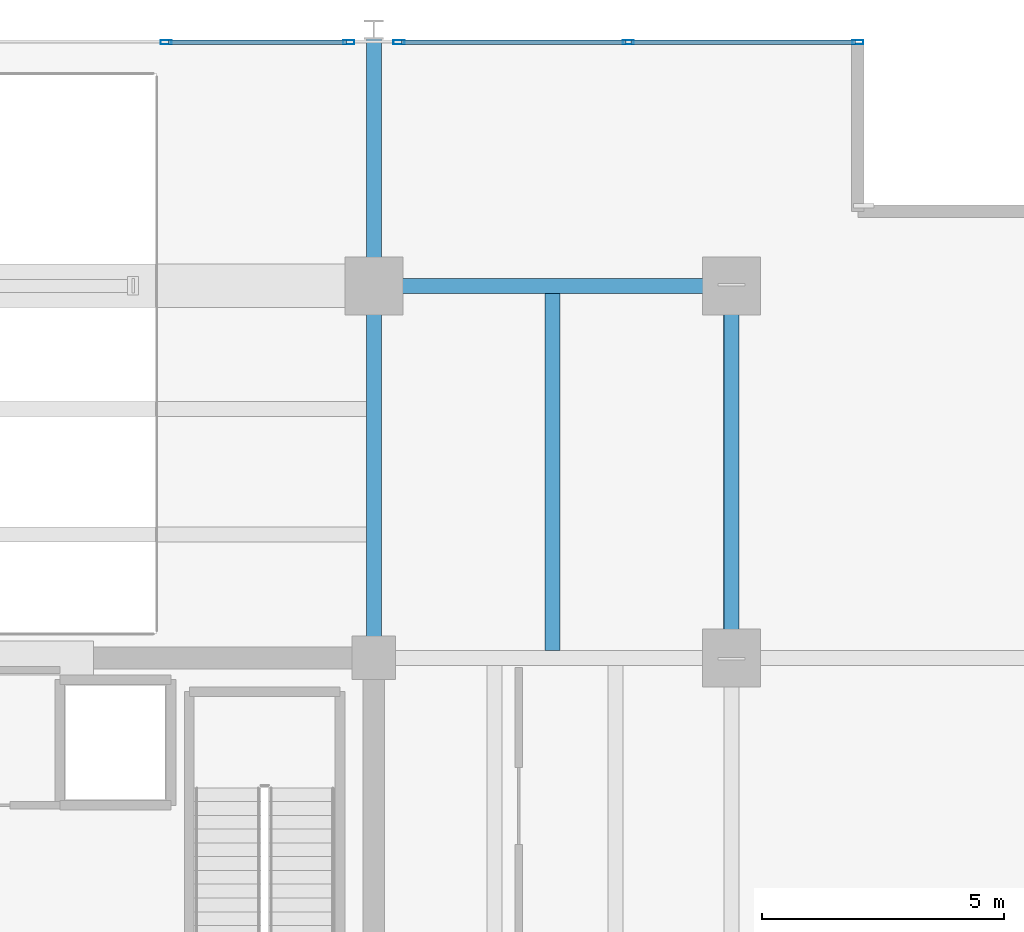
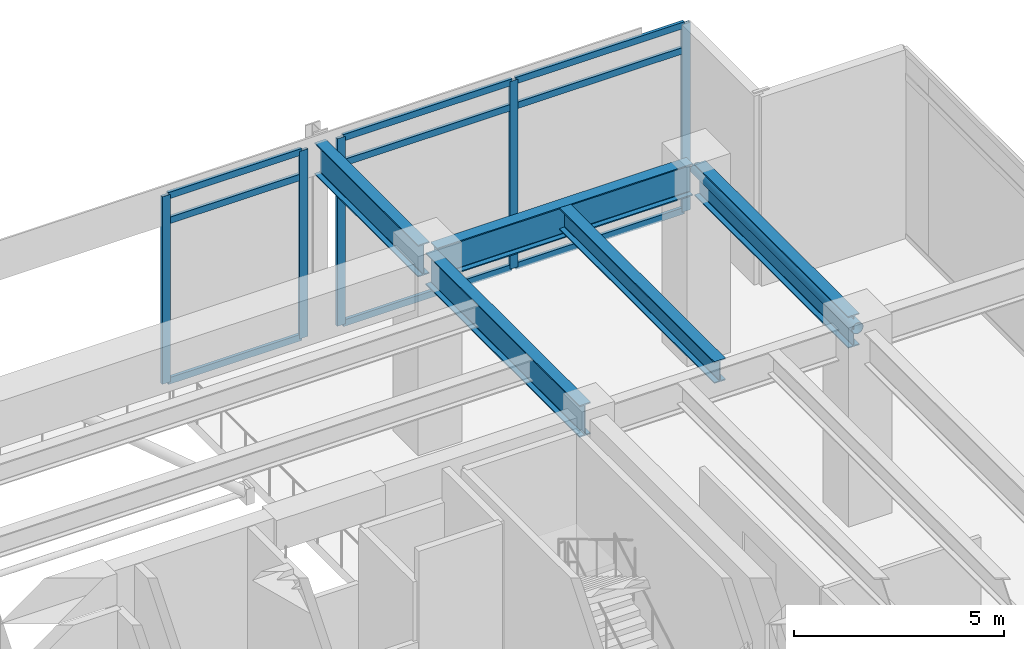
# One storey, part 16 of 25: 15 members, 5 beams, 2 elements without a shape of their own.
"""IFC4 building model written with IfcOpenShell, lengths in metres."""

from ifc_helpers import new_model, si_unit, direction, frame, origin, origin_2d, place, context, subcontext, project, spatial, hollow_rectangle, hollow_circle, i_section, extrude, material, material_profile, profile_set, type_object, element, aggregate, save


model = new_model("IFC4")

# Units and contexts
model_context = context("Model", 3, precision=1e-05, world=origin(), true_north=direction((0.0, 1.0)))
body_context = subcontext(model_context, "Body", "Model", "MODEL_VIEW")
ifc_project = project(units=[si_unit("LENGTHUNIT", "METRE"), si_unit("AREAUNIT", "SQUARE_METRE"), si_unit("VOLUMEUNIT", "CUBIC_METRE"), si_unit("PLANEANGLEUNIT", "RADIAN"), si_unit("MASSUNIT", "GRAM", prefix="KILO")], contexts=[model_context])

# Site, building, storey
site_placement = place(None, origin())
site = spatial("IfcSite", under=ifc_project, at=site_placement, CompositionType="ELEMENT")
building_placement = place(site_placement, origin())
building = spatial("IfcBuilding", under=site, at=building_placement, Name="Kovane Verandah Tower", CompositionType="ELEMENT")
storey_placement = place(building_placement, frame((0.0, 0.0, 295.199951171875)))
storey = spatial("IfcBuildingStorey", under=building, at=storey_placement, Name="L69", CompositionType="ELEMENT", Elevation=295.199951171875)

# Beams
ifc_material_1 = material(Name="Steel S460", Category="steel")
ifc_material_profile_1 = material_profile(ifc_material_1, i_section(OverallWidth=0.311279296875, OverallDepth=0.6357421875, WebThickness=0.018310546875, FlangeThickness=0.031494140625, FilletRadius=0.0166015625, at=origin_2d()), Name="UB610x305x238")
ifc_profile_set_1 = profile_set([ifc_material_profile_1], Name="Steel S460")
beam_type_1 = type_object("IfcBeamType", Name="BM-UB610x238", PredefinedType="BEAM", material=ifc_profile_set_1)
beam_1_placement = place(storey_placement, frame((54.699951171875, 36.65185546875, 5.18212890625), z_axis=(0.0, 1.0, 0.0), x_axis=(-1.0, 0.0, 0.0)))
element("IfcBeam", 1, at=beam_1_placement, inside=storey, type_object=beam_type_1, Name="L69 Secondary Composite Joist J-NE1", PredefinedType="BEAM", context=body_context, shape_type="SweptSolid", body=[
    extrude(i_section(OverallWidth=0.311279296875, OverallDepth=0.6357421875, WebThickness=0.018310546875, FlangeThickness=0.031494140625, FilletRadius=0.0166015625, at=origin_2d()), origin(), (0.0, 0.0, 1.0), 7.396240234375),
])
ifc_material_profile_2 = material_profile(ifc_material_1, i_section(OverallWidth=0.3076171875, OverallDepth=0.926513671875, WebThickness=0.01953125, FlangeThickness=0.031982421875, FilletRadius=0.01904296875, at=origin_2d()), Name="UB914x305x289")
ifc_profile_set_2 = profile_set([ifc_material_profile_2], Name="Steel S460")
beam_type_2 = type_object("IfcBeamType", Name="BM-UB914x289", PredefinedType="BEAM", material=ifc_profile_set_2)
beam_2_placement = place(storey_placement, frame((51.179931640625, 44.199951171875, 5.036865234375), z_axis=(1.0, 0.0, 0.0), x_axis=(0.0, 1.0, 0.0)))
element("IfcBeam", 2, at=beam_2_placement, inside=storey, type_object=beam_type_2, Name="L69 Primary Tower Girder G-RN3", PredefinedType="BEAM", context=body_context, shape_type="SweptSolid", body=[
    extrude(i_section(OverallWidth=0.3076171875, OverallDepth=0.926513671875, WebThickness=0.01953125, FlangeThickness=0.031982421875, FilletRadius=0.01904296875, at=origin_2d()), origin(), (0.0, 0.0, 1.0), 7.0400390625),
])
for number, where, z_axis, x_axis, name in (
    (3, (58.39990234375, 36.679931640625, 5.036865234375), (0.0, 1.0, 0.0), (-1.0, 0.0, 0.0), "L69 Primary Tower Girder G-RE3"),
    (4, (51.0, 36.679931640625, 5.036865234375), (0.0, 1.0, 0.0), (-1.0, 0.0, 0.0), "L69 Primary Tower Girder G-N2"),
):
    element("IfcBeam", number, at=place(storey_placement, frame(where, z_axis=z_axis, x_axis=x_axis)), inside=storey, type_object=beam_type_2, Name=name, PredefinedType="BEAM", context=body_context, shape_type="SweptSolid", body=[
        extrude(i_section(OverallWidth=0.3076171875, OverallDepth=0.926513671875, WebThickness=0.01953125, FlangeThickness=0.031982421875, FilletRadius=0.01904296875, at=origin_2d()), origin(), (0.0, 0.0, 1.0), 7.340087890625),
    ])
beam_3_placement = place(storey_placement, frame((51.0, 44.3798828125, 5.036865234375), z_axis=(0.0, 1.0, 0.0), x_axis=(-1.0, 0.0, 0.0)))
element("IfcBeam", 5, at=beam_3_placement, inside=storey, type_object=beam_type_2, Name="L69 Primary Tower Girder G-VN2", PredefinedType="BEAM", context=body_context, shape_type="SweptSolid", body=[
    extrude(i_section(OverallWidth=0.3076171875, OverallDepth=0.926513671875, WebThickness=0.01953125, FlangeThickness=0.031982421875, FilletRadius=0.01904296875, at=origin_2d()), origin(), (0.0, 0.0, 1.0), 4.940185546875),
])

# Curtain wall, members
ifc_material_2 = material(Name="Champagne Anodised Aluminium Frame with Low-E Clear Laminated Glass", Category="aluminium")
curtain_wall_type = type_object("IfcCurtainWallType", Name="CW-SYS-05-HIGH", PredefinedType="NOTDEFINED", material=ifc_material_2)
curtain_wall_1_placement = place(storey_placement, origin())
curtain_wall_1 = element("IfcCurtainWall", 6, at=curtain_wall_1_placement, inside=storey, type_object=curtain_wall_type, Name="L69 North-East Wind-Portal Curtain Wall 1", PredefinedType="NOTDEFINED")
ifc_material_3 = material(Name="Champagne Anodised Aluminium 6063-T6", Category="aluminium")
ifc_material_profile_3 = material_profile(ifc_material_3, hollow_rectangle(XDim=0.0849609375, YDim=0.22998046875, WallThickness=0.00390625, at=origin_2d()), Name="AL85x230x4")
ifc_profile_set_3 = profile_set([ifc_material_profile_3], Name="Champagne Anodised Aluminium 6063-T6")
member_type_1 = type_object("IfcMemberType", Name="CW-MUL-85x230", PredefinedType="MULLION", material=ifc_profile_set_3)
member_1_placement = place(storey_placement, frame((61.017822265625, 49.24169921875, 0.02001953125), z_axis=(0.0, 0.0, 1.0), x_axis=(0.0, 1.0, 0.0)))
member_1 = element("IfcMember", 7, at=member_1_placement, type_object=member_type_1, Name="L69 North-East Wind-Portal Curtain Wall 1 Mullion 1", PredefinedType="MULLION", context=body_context, shape_type="SweptSolid", body=[
    extrude(hollow_rectangle(XDim=0.0849609375, YDim=0.22998046875, WallThickness=0.00390625, at=origin_2d()), origin(), (0.0, 0.0, 1.0), 5.4599609375),
])
member_2_placement = place(storey_placement, frame((56.26904296875, 49.24169921875, 0.02001953125), z_axis=(0.0, 0.0, 1.0), x_axis=(0.0, 1.0, 0.0)))
member_2 = element("IfcMember", 8, at=member_2_placement, type_object=member_type_1, Name="L69 North-East Wind-Portal Curtain Wall 1 Mullion 2", PredefinedType="MULLION", context=body_context, shape_type="SweptSolid", body=[
    extrude(hollow_rectangle(XDim=0.0849609375, YDim=0.22998046875, WallThickness=0.00390625, at=origin_2d()), origin(), (0.0, 0.0, 1.0), 5.4599609375),
])
member_3_placement = place(storey_placement, frame((51.52001953125, 49.24169921875, 0.02001953125), z_axis=(0.0, 0.0, 1.0), x_axis=(0.0, 1.0, 0.0)))
member_3 = element("IfcMember", 9, at=member_3_placement, type_object=member_type_1, Name="L69 North-East Wind-Portal Curtain Wall 1 Mullion 3", PredefinedType="MULLION", context=body_context, shape_type="SweptSolid", body=[
    extrude(hollow_rectangle(XDim=0.0849609375, YDim=0.22998046875, WallThickness=0.00390625, at=origin_2d()), origin(), (0.0, 0.0, 1.0), 5.4599609375),
])

curtain_wall_2_placement = place(storey_placement, origin())
curtain_wall_2 = element("IfcCurtainWall", 10, at=curtain_wall_2_placement, inside=storey, type_object=curtain_wall_type, Name="L69 North-East Wind-Portal Curtain Wall 2", PredefinedType="NOTDEFINED")
member_4_placement = place(storey_placement, frame((50.47998046875, 49.24169921875, 0.02001953125), z_axis=(0.0, 0.0, 1.0), x_axis=(0.0, 1.0, 0.0)))
member_4 = element("IfcMember", 11, at=member_4_placement, type_object=member_type_1, Name="L69 North-East Wind-Portal Curtain Wall 2 Mullion 1", PredefinedType="MULLION", context=body_context, shape_type="SweptSolid", body=[
    extrude(hollow_rectangle(XDim=0.0849609375, YDim=0.22998046875, WallThickness=0.00390625, at=origin_2d()), origin(), (0.0, 0.0, 1.0), 5.4599609375),
])
member_5_placement = place(storey_placement, frame((46.699951171875, 49.24169921875, 0.02001953125), z_axis=(0.0, 0.0, 1.0), x_axis=(0.0, 1.0, 0.0)))
member_5 = element("IfcMember", 12, at=member_5_placement, type_object=member_type_1, Name="L69 North-East Wind-Portal Curtain Wall 2 Mullion 2", PredefinedType="MULLION", context=body_context, shape_type="SweptSolid", body=[
    extrude(hollow_rectangle(XDim=0.0849609375, YDim=0.22998046875, WallThickness=0.00390625, at=origin_2d()), origin(), (0.0, 0.0, 1.0), 5.4599609375),
])

# Member
ifc_material_profile_4 = material_profile(ifc_material_3, hollow_rectangle(XDim=0.0849609375, YDim=0.18994140625, WallThickness=0.00390625, at=origin_2d()), Name="AL85x190x4")
ifc_profile_set_4 = profile_set([ifc_material_profile_4], Name="Champagne Anodised Aluminium 6063-T6")
member_type_2 = type_object("IfcMemberType", Name="CW-TRN-85x190", PredefinedType="USERDEFINED", material=ifc_profile_set_4)
member_6_placement = place(storey_placement, frame((60.968017578125, 49.24169921875, 0.050048828125), z_axis=(-1.0, 0.0, 0.0), x_axis=(0.0, -1.0, 0.0)))
member_6 = element("IfcMember", 13, at=member_6_placement, type_object=member_type_2, Name="L69 North-East Wind-Portal Curtain Wall 1 Transom TB Bay 1", ObjectType="TRANSOM", PredefinedType="USERDEFINED", context=body_context, shape_type="SweptSolid", body=[
    extrude(hollow_rectangle(XDim=0.0849609375, YDim=0.18994140625, WallThickness=0.00390625, at=origin_2d()), origin(), (0.0, 0.0, 1.0), 4.64892578125),
])

member_7_placement = place(storey_placement, frame((60.968017578125, 49.24169921875, 4.719970703125), z_axis=(-1.0, 0.0, 0.0), x_axis=(0.0, -1.0, 0.0)))
member_7 = element("IfcMember", 14, at=member_7_placement, type_object=member_type_2, Name="L69 North-East Wind-Portal Curtain Wall 1 Transom TM Bay 1", ObjectType="TRANSOM", PredefinedType="USERDEFINED", context=body_context, shape_type="SweptSolid", body=[
    extrude(hollow_rectangle(XDim=0.0849609375, YDim=0.18994140625, WallThickness=0.00390625, at=origin_2d()), origin(), (0.0, 0.0, 1.0), 4.64892578125),
])

member_8_placement = place(storey_placement, frame((60.968017578125, 49.24169921875, 5.449951171875), z_axis=(-1.0, 0.0, 0.0), x_axis=(0.0, -1.0, 0.0)))
member_8 = element("IfcMember", 15, at=member_8_placement, type_object=member_type_2, Name="L69 North-East Wind-Portal Curtain Wall 1 Transom TT Bay 1", ObjectType="TRANSOM", PredefinedType="USERDEFINED", context=body_context, shape_type="SweptSolid", body=[
    extrude(hollow_rectangle(XDim=0.0849609375, YDim=0.18994140625, WallThickness=0.00390625, at=origin_2d()), origin(), (0.0, 0.0, 1.0), 4.64892578125),
])

member_9_placement = place(storey_placement, frame((56.218994140625, 49.24169921875, 0.050048828125), z_axis=(-1.0, 0.0, 0.0), x_axis=(0.0, -1.0, 0.0)))
member_9 = element("IfcMember", 16, at=member_9_placement, type_object=member_type_2, Name="L69 North-East Wind-Portal Curtain Wall 1 Transom TB Bay 2", ObjectType="TRANSOM", PredefinedType="USERDEFINED", context=body_context, shape_type="SweptSolid", body=[
    extrude(hollow_rectangle(XDim=0.0849609375, YDim=0.18994140625, WallThickness=0.00390625, at=origin_2d()), origin(), (0.0, 0.0, 1.0), 4.64892578125),
])

member_10_placement = place(storey_placement, frame((56.218994140625, 49.24169921875, 4.719970703125), z_axis=(-1.0, 0.0, 0.0), x_axis=(0.0, -1.0, 0.0)))
member_10 = element("IfcMember", 17, at=member_10_placement, type_object=member_type_2, Name="L69 North-East Wind-Portal Curtain Wall 1 Transom TM Bay 2", ObjectType="TRANSOM", PredefinedType="USERDEFINED", context=body_context, shape_type="SweptSolid", body=[
    extrude(hollow_rectangle(XDim=0.0849609375, YDim=0.18994140625, WallThickness=0.00390625, at=origin_2d()), origin(), (0.0, 0.0, 1.0), 4.64892578125),
])

member_11_placement = place(storey_placement, frame((56.218994140625, 49.24169921875, 5.449951171875), z_axis=(-1.0, 0.0, 0.0), x_axis=(0.0, -1.0, 0.0)))
member_11 = element("IfcMember", 18, at=member_11_placement, type_object=member_type_2, Name="L69 North-East Wind-Portal Curtain Wall 1 Transom TT Bay 2", ObjectType="TRANSOM", PredefinedType="USERDEFINED", context=body_context, shape_type="SweptSolid", body=[
    extrude(hollow_rectangle(XDim=0.0849609375, YDim=0.18994140625, WallThickness=0.00390625, at=origin_2d()), origin(), (0.0, 0.0, 1.0), 4.64892578125),
])

aggregate(curtain_wall_1, [member_1, member_2, member_3, member_6, member_7, member_8, member_9, member_10, member_11])

member_12_placement = place(storey_placement, frame((50.429931640625, 49.24169921875, 0.050048828125), z_axis=(-1.0, 0.0, 0.0), x_axis=(0.0, -1.0, 0.0)))
member_12 = element("IfcMember", 19, at=member_12_placement, type_object=member_type_2, Name="L69 North-East Wind-Portal Curtain Wall 2 Transom TB Bay 1", ObjectType="TRANSOM", PredefinedType="USERDEFINED", context=body_context, shape_type="SweptSolid", body=[
    extrude(hollow_rectangle(XDim=0.0849609375, YDim=0.18994140625, WallThickness=0.00390625, at=origin_2d()), origin(), (0.0, 0.0, 1.0), 3.679931640625),
])

member_13_placement = place(storey_placement, frame((50.429931640625, 49.24169921875, 4.719970703125), z_axis=(-1.0, 0.0, 0.0), x_axis=(0.0, -1.0, 0.0)))
member_13 = element("IfcMember", 20, at=member_13_placement, type_object=member_type_2, Name="L69 North-East Wind-Portal Curtain Wall 2 Transom TM Bay 1", ObjectType="TRANSOM", PredefinedType="USERDEFINED", context=body_context, shape_type="SweptSolid", body=[
    extrude(hollow_rectangle(XDim=0.0849609375, YDim=0.18994140625, WallThickness=0.00390625, at=origin_2d()), origin(), (0.0, 0.0, 1.0), 3.679931640625),
])

member_14_placement = place(storey_placement, frame((50.429931640625, 49.24169921875, 5.449951171875), z_axis=(-1.0, 0.0, 0.0), x_axis=(0.0, -1.0, 0.0)))
member_14 = element("IfcMember", 21, at=member_14_placement, type_object=member_type_2, Name="L69 North-East Wind-Portal Curtain Wall 2 Transom TT Bay 1", ObjectType="TRANSOM", PredefinedType="USERDEFINED", context=body_context, shape_type="SweptSolid", body=[
    extrude(hollow_rectangle(XDim=0.0849609375, YDim=0.18994140625, WallThickness=0.00390625, at=origin_2d()), origin(), (0.0, 0.0, 1.0), 3.679931640625),
])

aggregate(curtain_wall_2, [member_4, member_5, member_12, member_13, member_14])

ifc_material_profile_5 = material_profile(ifc_material_1, hollow_circle(Radius=0.161865234375, WallThickness=0.012451171875, at=origin_2d()), Name="CHS323.9x12.5")
ifc_profile_set_5 = profile_set([ifc_material_profile_5], Name="Steel S460")
member_type_3 = type_object("IfcMemberType", Name="MEM-STRUT-CHS324", PredefinedType="STRUT", material=ifc_profile_set_5)
member_15_placement = place(storey_placement, frame((58.39990234375, 36.5, 5.219970703125), z_axis=(0.0, 1.0, 0.0), x_axis=(-1.0, 0.0, 0.0)))
element("IfcMember", 22, at=member_15_placement, inside=storey, type_object=member_type_3, Name="L69 Belt-Truss Ring Chord BE2", PredefinedType="STRUT", context=body_context, shape_type="SweptSolid", body=[
    extrude(hollow_circle(Radius=0.161865234375, WallThickness=0.012451171875, at=origin_2d()), origin(), (0.0, 0.0, 1.0), 7.699951171875),
])

save(model, "model.ifc")
